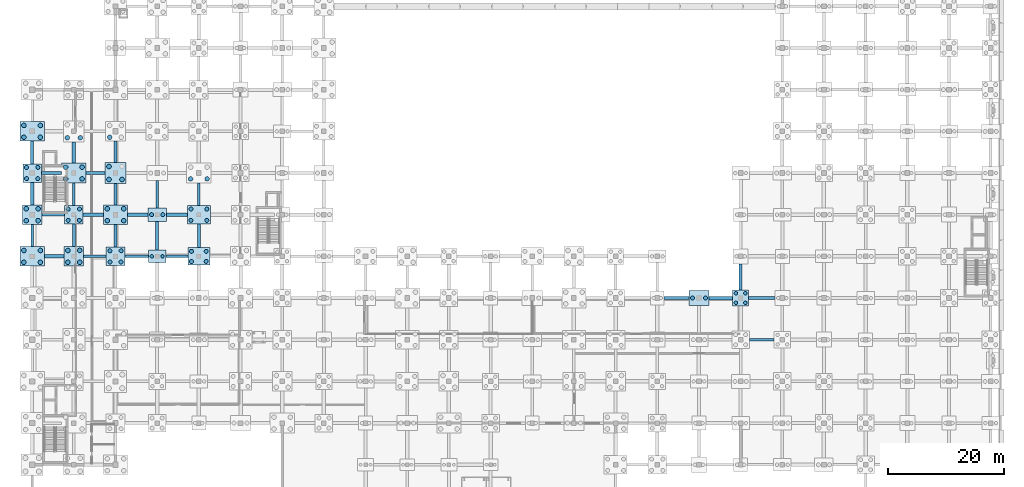
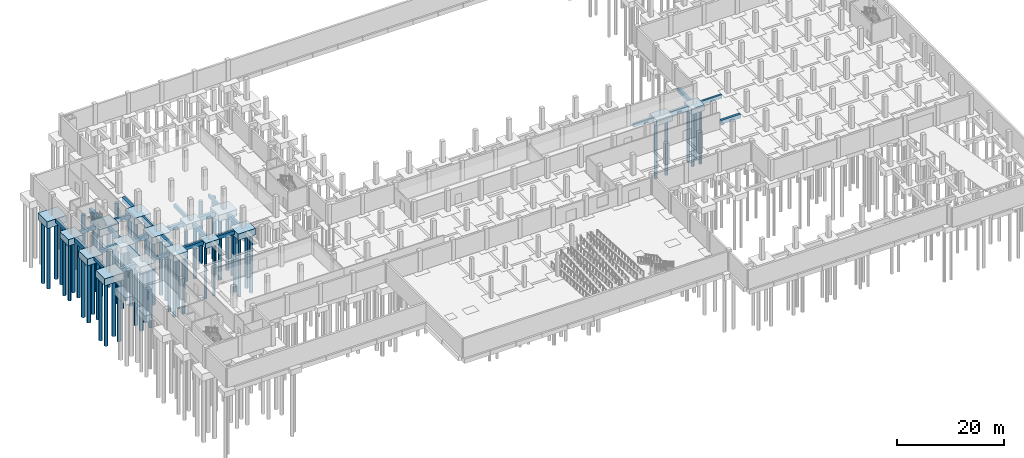
# One storey, part 7 of 38: 62 piles, 44 footings.
"""IFC4 building model written with IfcOpenShell, lengths in metres."""

from ifc_helpers import new_model, si_unit, direction, frame, origin, origin_2d, place, context, subcontext, project, spatial, rectangle, circle, extrude, material, material_profile, profile_set, type_object, element, save


model = new_model("IFC4")

# Units and contexts
model_context = context("Model", 3, precision=1e-05, world=origin(), true_north=direction((0.0, 1.0)))
body_context = subcontext(model_context, "Body", "Model", "MODEL_VIEW")
ifc_project = project(units=[si_unit("LENGTHUNIT", "METRE"), si_unit("AREAUNIT", "SQUARE_METRE"), si_unit("VOLUMEUNIT", "CUBIC_METRE"), si_unit("PLANEANGLEUNIT", "RADIAN"), si_unit("MASSUNIT", "GRAM", prefix="KILO")], contexts=[model_context])

# Site, building, storey
site_placement = place(None, origin())
site = spatial("IfcSite", under=ifc_project, at=site_placement, CompositionType="ELEMENT")
building_placement = place(site_placement, origin())
building = spatial("IfcBuilding", under=site, at=building_placement, Name="Valkovuoma Quantum and Materials Research Institute", CompositionType="ELEMENT")
storey_placement = place(building_placement, frame((0.0, 0.0, -4.800048828125)))
storey = spatial("IfcBuildingStorey", under=building, at=storey_placement, Name="B1", CompositionType="ELEMENT", Elevation=-4.800048828125)

# Footings
ifc_material_1 = material(Name="Concrete C35/45", Category="concrete")
footing_type_1 = type_object("IfcFootingType", Name="Cap-PC-05", PredefinedType="PILE_CAP", material=ifc_material_1)
footing_1_placement = place(storey_placement, frame((122.39990234375, 57.60009765625, -1.35009765625), z_axis=(0.0, 0.0, 1.0), x_axis=(1.0, 0.0, 0.0)))
element("IfcFooting", 1, at=footing_1_placement, inside=storey, type_object=footing_type_1, Name="B1 pile cap 18J", PredefinedType="PILE_CAP", context=body_context, shape_type="SweptSolid", body=[
    extrude(rectangle(XDim=2.800048828125, YDim=2.800048828125, at=origin_2d()), origin(), (0.0, 0.0, 1.0), 1.35009765625),
])
ifc_material_2 = material(Name="Concrete C35/45", Category="concrete")
footing_type_2 = type_object("IfcFootingType", Name="Cap-PC-07", PredefinedType="PILE_CAP", material=ifc_material_2)
for number, where, z_axis, x_axis, name in (
    (2, (0.0, 79.199951171875, -1.44970703125), (0.0, 0.0, 1.0), (1.0, 0.0, 0.0), "B1 pile cap 01M"),
    (3, (7.199951171875, 72.0, -1.44970703125), (0.0, 0.0, 1.0), (1.0, 0.0, 0.0), "B1 pile cap 02L"),
    (4, (14.39990234375, 64.800048828125, -1.44970703125), (0.0, 0.0, 1.0), (1.0, 0.0, 0.0), "B1 pile cap 03K"),
):
    element("IfcFooting", number, at=place(storey_placement, frame(where, z_axis=z_axis, x_axis=x_axis)), inside=storey, type_object=footing_type_2, Name=name, PredefinedType="PILE_CAP", context=body_context, shape_type="SweptSolid", body=[
        extrude(rectangle(XDim=3.199951171875, YDim=3.199951171875, at=origin_2d()), origin(), (0.0, 0.0, 1.0), 1.449951171875),
    ])
ifc_material_3 = material(Name="Concrete C35/45", Category="concrete")
footing_type_3 = type_object("IfcFootingType", Name="Cap-PC-08", PredefinedType="PILE_CAP", material=ifc_material_3)
for number, where, z_axis, x_axis, name in (
    (5, (0.0, 72.0, -1.5), (0.0, 0.0, 1.0), (1.0, 0.0, 0.0), "B1 pile cap 01L"),
    (6, (7.199951171875, 64.800048828125, -1.5), (0.0, 0.0, 1.0), (1.0, 0.0, 0.0), "B1 pile cap 02K"),
):
    element("IfcFooting", number, at=place(storey_placement, frame(where, z_axis=z_axis, x_axis=x_axis)), inside=storey, type_object=footing_type_3, Name=name, PredefinedType="PILE_CAP", context=body_context, shape_type="SweptSolid", body=[
        extrude(rectangle(XDim=3.39990234375, YDim=3.39990234375, at=origin_2d()), origin(), (0.0, 0.0, 1.0), 1.5),
    ])
ifc_material_4 = material(Name="Concrete C35/45", Category="concrete")
footing_type_4 = type_object("IfcFootingType", Name="Cap-PC-09", PredefinedType="PILE_CAP", material=ifc_material_4)
footing_2_placement = place(storey_placement, frame((14.39990234375, 79.199951171875, -1.5498046875), z_axis=(0.0, 0.0, 1.0), x_axis=(1.0, 0.0, 0.0)))
element("IfcFooting", 7, at=footing_2_placement, inside=storey, type_object=footing_type_4, Name="B1 pile cap 03M", PredefinedType="PILE_CAP", context=body_context, shape_type="SweptSolid", body=[
    extrude(rectangle(XDim=3.60009765625, YDim=3.60009765625, at=origin_2d()), origin(), (0.0, 0.0, 1.0), 1.550048828125),
])
ifc_material_5 = material(Name="Concrete C35/45", Category="concrete")
footing_type_5 = type_object("IfcFootingType", Name="Cap-PC-11", PredefinedType="PILE_CAP", material=ifc_material_5)
footing_3_placement = place(storey_placement, frame((21.60009765625, 64.800048828125, -1.25), z_axis=(0.0, 0.0, 1.0), x_axis=(1.0, 0.0, 0.0)))
element("IfcFooting", 8, at=footing_3_placement, inside=storey, type_object=footing_type_5, Name="B1 pile cap 04K", PredefinedType="PILE_CAP", context=body_context, shape_type="SweptSolid", body=[
    extrude(rectangle(XDim=3.0, YDim=2.199951171875, at=origin_2d()), origin(), (0.0, 0.0, 1.0), 1.25),
])
ifc_material_6 = material(Name="Concrete C35/45", Category="concrete")
footing_type_6 = type_object("IfcFootingType", Name="Cap-PC-12", PredefinedType="PILE_CAP", material=ifc_material_6)
footing_4_placement = place(storey_placement, frame((21.60009765625, 72.0, -1.2998046875), z_axis=(0.0, 0.0, 1.0), x_axis=(1.0, 0.0, 0.0)))
element("IfcFooting", 9, at=footing_4_placement, inside=storey, type_object=footing_type_6, Name="B1 pile cap 04L", PredefinedType="PILE_CAP", context=body_context, shape_type="SweptSolid", body=[
    extrude(rectangle(XDim=3.199951171875, YDim=2.39990234375, at=origin_2d()), origin(), (0.0, 0.0, 1.0), 1.300048828125),
])
ifc_material_7 = material(Name="Concrete C35/45", Category="concrete")
footing_type_7 = type_object("IfcFootingType", Name="Cap-PC-13", PredefinedType="PILE_CAP", material=ifc_material_7)
footing_5_placement = place(storey_placement, frame((115.199951171875, 57.60009765625, -1.35009765625), z_axis=(0.0, 0.0, 1.0), x_axis=(1.0, 0.0, 0.0)))
element("IfcFooting", 10, at=footing_5_placement, inside=storey, type_object=footing_type_7, Name="B1 pile cap 17J", PredefinedType="PILE_CAP", context=body_context, shape_type="SweptSolid", body=[
    extrude(rectangle(XDim=3.5, YDim=2.60009765625, at=origin_2d()), origin(), (0.0, 0.0, 1.0), 1.35009765625),
])
ifc_material_8 = material(Name="Concrete C35/45", Category="concrete")
footing_type_8 = type_object("IfcFootingType", Name="Cap-PC-14", PredefinedType="PILE_CAP", material=ifc_material_8)
footing_6_placement = place(storey_placement, frame((28.800048828125, 64.800048828125, -1.44970703125), z_axis=(0.0, 0.0, 1.0), x_axis=(1.0, 0.0, 0.0)))
element("IfcFooting", 11, at=footing_6_placement, inside=storey, type_object=footing_type_8, Name="B1 pile cap 05K", PredefinedType="PILE_CAP", context=body_context, shape_type="SweptSolid", body=[
    extrude(rectangle(XDim=3.800048828125, YDim=3.0, at=origin_2d()), origin(), (0.0, 0.0, 1.0), 1.449951171875),
])
ifc_material_9 = material(Name="Concrete C35/45", Category="concrete")
footing_type_9 = type_object("IfcFootingType", Name="Cap-PC-15", PredefinedType="PILE_CAP", material=ifc_material_9)
footing_7_placement = place(storey_placement, frame((28.800048828125, 72.0, -1.5), z_axis=(0.0, 0.0, 1.0), x_axis=(1.0, 0.0, 0.0)))
element("IfcFooting", 12, at=footing_7_placement, inside=storey, type_object=footing_type_9, Name="B1 pile cap 05L", PredefinedType="PILE_CAP", context=body_context, shape_type="SweptSolid", body=[
    extrude(rectangle(XDim=4.0, YDim=3.199951171875, at=origin_2d()), origin(), (0.0, 0.0, 1.0), 1.5),
])
ifc_material_10 = material(Name="Concrete C35/45", Category="concrete")
footing_type_10 = type_object("IfcFootingType", Name="Cap-PC-16", PredefinedType="PILE_CAP", material=ifc_material_10)
for number, where, z_axis, x_axis, name in (
    (13, (0.0, 64.800048828125, -1.60009765625), (0.0, 0.0, 1.0), (1.0, 0.0, 0.0), "B1 pile cap 01K"),
    (14, (0.0, 86.39990234375, -1.60009765625), (0.0, 0.0, 1.0), (1.0, 0.0, 0.0), "B1 pile cap 01N"),
    (15, (7.199951171875, 79.199951171875, -1.60009765625), (0.0, 0.0, 1.0), (1.0, 0.0, 0.0), "B1 pile cap 02M"),
    (16, (14.39990234375, 72.0, -1.60009765625), (0.0, 0.0, 1.0), (1.0, 0.0, 0.0), "B1 pile cap 03L"),
):
    element("IfcFooting", number, at=place(storey_placement, frame(where, z_axis=z_axis, x_axis=x_axis)), inside=storey, type_object=footing_type_10, Name=name, PredefinedType="PILE_CAP", context=body_context, shape_type="SweptSolid", body=[
        extrude(rectangle(XDim=4.199951171875, YDim=3.39990234375, at=origin_2d()), origin(), (0.0, 0.0, 1.0), 1.60009765625),
    ])
ifc_material_11 = material(Name="Concrete C35/45", Category="concrete")
footing_type_11 = type_object("IfcFootingType", Name="GndBeam-FB-01", PredefinedType="FOOTING_BEAM", material=ifc_material_11)
footing_8_placement = place(storey_placement, frame((0.0, 68.39990234375, -0.7998046875), z_axis=(0.0, 0.0, 1.0), x_axis=(0.0, 1.0, 0.0)))
element("IfcFooting", 17, at=footing_8_placement, inside=storey, type_object=footing_type_11, Name="B1 ground tie beam Y-012", PredefinedType="FOOTING_BEAM", context=body_context, shape_type="SweptSolid", body=[
    extrude(rectangle(XDim=3.800048828125, YDim=0.449951171875, at=origin_2d()), origin(), (0.0, 0.0, 1.0), 0.800048828125),
])
footing_9_placement = place(storey_placement, frame((3.35009765625, 79.199951171875, -0.7998046875), z_axis=(0.0, 0.0, 1.0), x_axis=(1.0, 0.0, 0.0)))
element("IfcFooting", 18, at=footing_9_placement, inside=storey, type_object=footing_type_11, Name="B1 ground tie beam X-015", PredefinedType="FOOTING_BEAM", context=body_context, shape_type="SweptSolid", body=[
    extrude(rectangle(XDim=3.5, YDim=0.449951171875, at=origin_2d()), origin(), (0.0, 0.0, 1.0), 0.800048828125),
])
for number, where, z_axis, x_axis, name in (
    (19, (10.85009765625, 64.800048828125, -0.7998046875), (0.0, 0.0, 1.0), (1.0, 0.0, 0.0), "B1 ground tie beam X-030"),
    (20, (7.199951171875, 75.550048828125, -0.7998046875), (0.0, 0.0, 1.0), (0.0, 1.0, 0.0), "B1 ground tie beam Y-033"),
):
    element("IfcFooting", number, at=place(storey_placement, frame(where, z_axis=z_axis, x_axis=x_axis)), inside=storey, type_object=footing_type_11, Name=name, PredefinedType="FOOTING_BEAM", context=body_context, shape_type="SweptSolid", body=[
        extrude(rectangle(XDim=3.89990234375, YDim=0.449951171875, at=origin_2d()), origin(), (0.0, 0.0, 1.0), 0.800048828125),
    ])
footing_10_placement = place(storey_placement, frame((18.050048828125, 64.800048828125, -0.7998046875), z_axis=(0.0, 0.0, 1.0), x_axis=(1.0, 0.0, 0.0)))
element("IfcFooting", 21, at=footing_10_placement, inside=storey, type_object=footing_type_11, Name="B1 ground tie beam X-048", PredefinedType="FOOTING_BEAM", context=body_context, shape_type="SweptSolid", body=[
    extrude(rectangle(XDim=4.10009765625, YDim=0.449951171875, at=origin_2d()), origin(), (0.0, 0.0, 1.0), 0.800048828125),
])
footing_11_placement = place(storey_placement, frame((14.39990234375, 75.550048828125, -0.7998046875), z_axis=(0.0, 0.0, 1.0), x_axis=(0.0, 1.0, 0.0)))
element("IfcFooting", 22, at=footing_11_placement, inside=storey, type_object=footing_type_11, Name="B1 ground tie beam Y-051", PredefinedType="FOOTING_BEAM", context=body_context, shape_type="SweptSolid", body=[
    extrude(rectangle(XDim=3.699951171875, YDim=0.449951171875, at=origin_2d()), origin(), (0.0, 0.0, 1.0), 0.800048828125),
])
footing_12_placement = place(storey_placement, frame((25.0, 64.800048828125, -0.7998046875), z_axis=(0.0, 0.0, 1.0), x_axis=(1.0, 0.0, 0.0)))
element("IfcFooting", 23, at=footing_12_placement, inside=storey, type_object=footing_type_11, Name="B1 ground tie beam X-069", PredefinedType="FOOTING_BEAM", context=body_context, shape_type="SweptSolid", body=[
    extrude(rectangle(XDim=3.800048828125, YDim=0.449951171875, at=origin_2d()), origin(), (0.0, 0.0, 1.0), 0.800048828125),
])
footing_13_placement = place(storey_placement, frame((21.60009765625, 75.550048828125, -0.7998046875), z_axis=(0.0, 0.0, 1.0), x_axis=(0.0, 1.0, 0.0)))
element("IfcFooting", 24, at=footing_13_placement, inside=storey, type_object=footing_type_11, Name="B1 ground tie beam Y-072", PredefinedType="FOOTING_BEAM", context=body_context, shape_type="SweptSolid", body=[
    extrude(rectangle(XDim=4.699951171875, YDim=0.449951171875, at=origin_2d()), origin(), (0.0, 0.0, 1.0), 0.800048828125),
])
footing_14_placement = place(storey_placement, frame((28.800048828125, 75.550048828125, -0.7998046875), z_axis=(0.0, 0.0, 1.0), x_axis=(0.0, 1.0, 0.0)))
element("IfcFooting", 25, at=footing_14_placement, inside=storey, type_object=footing_type_11, Name="B1 ground tie beam Y-093", PredefinedType="FOOTING_BEAM", context=body_context, shape_type="SweptSolid", body=[
    extrude(rectangle(XDim=3.89990234375, YDim=0.449951171875, at=origin_2d()), origin(), (0.0, 0.0, 1.0), 0.800048828125),
])
footing_15_placement = place(storey_placement, frame((111.324951171875, 57.60009765625, -0.7998046875), z_axis=(0.0, 0.0, 1.0), x_axis=(1.0, 0.0, 0.0)))
element("IfcFooting", 26, at=footing_15_placement, inside=storey, type_object=footing_type_11, Name="B1 ground tie beam X-252", PredefinedType="FOOTING_BEAM", context=body_context, shape_type="SweptSolid", body=[
    extrude(rectangle(XDim=4.25, YDim=0.449951171875, at=origin_2d()), origin(), (0.0, 0.0, 1.0), 0.800048828125),
])
footing_16_placement = place(storey_placement, frame((126.050048828125, 57.60009765625, -0.7998046875), z_axis=(0.0, 0.0, 1.0), x_axis=(1.0, 0.0, 0.0)))
element("IfcFooting", 27, at=footing_16_placement, inside=storey, type_object=footing_type_11, Name="B1 ground tie beam X-273", PredefinedType="FOOTING_BEAM", context=body_context, shape_type="SweptSolid", body=[
    extrude(rectangle(XDim=4.5, YDim=0.449951171875, at=origin_2d()), origin(), (0.0, 0.0, 1.0), 0.800048828125),
])
ifc_material_12 = material(Name="Concrete C35/45", Category="concrete")
footing_type_12 = type_object("IfcFootingType", Name="GndBeam-FB-02", PredefinedType="FOOTING_BEAM", material=ifc_material_12)
for number, where, z_axis, x_axis, name in (
    (28, (3.64990234375, 72.0, -0.89990234375), (0.0, 0.0, 1.0), (1.0, 0.0, 0.0), "B1 ground tie beam X-013"),
    (29, (0.0, 82.75, -0.89990234375), (0.0, 0.0, 1.0), (0.0, 1.0, 0.0), "B1 ground tie beam Y-016"),
    (30, (7.199951171875, 68.449951171875, -0.89990234375), (0.0, 0.0, 1.0), (0.0, 1.0, 0.0), "B1 ground tie beam Y-031"),
):
    element("IfcFooting", number, at=place(storey_placement, frame(where, z_axis=z_axis, x_axis=x_axis)), inside=storey, type_object=footing_type_12, Name=name, PredefinedType="FOOTING_BEAM", context=body_context, shape_type="SweptSolid", body=[
        extrude(rectangle(XDim=3.89990234375, YDim=0.5, at=origin_2d()), origin(), (0.0, 0.0, 1.0), 0.89990234375),
    ])
footing_17_placement = place(storey_placement, frame((10.949951171875, 79.199951171875, -0.89990234375), z_axis=(0.0, 0.0, 1.0), x_axis=(1.0, 0.0, 0.0)))
element("IfcFooting", 31, at=footing_17_placement, inside=storey, type_object=footing_type_12, Name="B1 ground tie beam X-034", PredefinedType="FOOTING_BEAM", context=body_context, shape_type="SweptSolid", body=[
    extrude(rectangle(XDim=3.300048828125, YDim=0.5, at=origin_2d()), origin(), (0.0, 0.0, 1.0), 0.89990234375),
])
footing_18_placement = place(storey_placement, frame((14.39990234375, 68.35009765625, -0.89990234375), z_axis=(0.0, 0.0, 1.0), x_axis=(0.0, 1.0, 0.0)))
element("IfcFooting", 32, at=footing_18_placement, inside=storey, type_object=footing_type_12, Name="B1 ground tie beam Y-049", PredefinedType="FOOTING_BEAM", context=body_context, shape_type="SweptSolid", body=[
    extrude(rectangle(XDim=3.89990234375, YDim=0.5, at=origin_2d()), origin(), (0.0, 0.0, 1.0), 0.89990234375),
])
footing_19_placement = place(storey_placement, frame((21.60009765625, 68.35009765625, -0.89990234375), z_axis=(0.0, 0.0, 1.0), x_axis=(0.0, 1.0, 0.0)))
element("IfcFooting", 33, at=footing_19_placement, inside=storey, type_object=footing_type_12, Name="B1 ground tie beam Y-070", PredefinedType="FOOTING_BEAM", context=body_context, shape_type="SweptSolid", body=[
    extrude(rectangle(XDim=4.89990234375, YDim=0.5, at=origin_2d()), origin(), (0.0, 0.0, 1.0), 0.89990234375),
])
footing_20_placement = place(storey_placement, frame((28.800048828125, 68.35009765625, -0.89990234375), z_axis=(0.0, 0.0, 1.0), x_axis=(0.0, 1.0, 0.0)))
element("IfcFooting", 34, at=footing_20_placement, inside=storey, type_object=footing_type_12, Name="B1 ground tie beam Y-091", PredefinedType="FOOTING_BEAM", context=body_context, shape_type="SweptSolid", body=[
    extrude(rectangle(XDim=4.10009765625, YDim=0.5, at=origin_2d()), origin(), (0.0, 0.0, 1.0), 0.89990234375),
])
footing_21_placement = place(storey_placement, frame((126.050048828125, 50.39990234375, -0.89990234375), z_axis=(0.0, 0.0, 1.0), x_axis=(1.0, 0.0, 0.0)))
element("IfcFooting", 35, at=footing_21_placement, inside=storey, type_object=footing_type_12, Name="B1 ground tie beam X-271", PredefinedType="FOOTING_BEAM", context=body_context, shape_type="SweptSolid", body=[
    extrude(rectangle(XDim=4.300048828125, YDim=0.5, at=origin_2d()), origin(), (0.0, 0.0, 1.0), 0.89990234375),
])
footing_22_placement = place(storey_placement, frame((122.39990234375, 61.25, -0.89990234375), z_axis=(0.0, 0.0, 1.0), x_axis=(0.0, 1.0, 0.0)))
element("IfcFooting", 36, at=footing_22_placement, inside=storey, type_object=footing_type_12, Name="B1 ground tie beam Y-274", PredefinedType="FOOTING_BEAM", context=body_context, shape_type="SweptSolid", body=[
    extrude(rectangle(XDim=4.5, YDim=0.5, at=origin_2d()), origin(), (0.0, 0.0, 1.0), 0.89990234375),
])
ifc_material_13 = material(Name="Concrete C35/45", Category="concrete")
footing_type_13 = type_object("IfcFootingType", Name="GndBeam-FB-03", PredefinedType="FOOTING_BEAM", material=ifc_material_13)
footing_23_placement = place(storey_placement, frame((3.800048828125, 64.800048828125, -1.0), z_axis=(0.0, 0.0, 1.0), x_axis=(1.0, 0.0, 0.0)))
element("IfcFooting", 37, at=footing_23_placement, inside=storey, type_object=footing_type_13, Name="B1 ground tie beam X-011", PredefinedType="FOOTING_BEAM", context=body_context, shape_type="SweptSolid", body=[
    extrude(rectangle(XDim=3.39990234375, YDim=0.60009765625, at=origin_2d()), origin(), (0.0, 0.0, 1.0), 1.0),
])
footing_24_placement = place(storey_placement, frame((0.0, 75.64990234375, -1.0), z_axis=(0.0, 0.0, 1.0), x_axis=(0.0, 1.0, 0.0)))
element("IfcFooting", 38, at=footing_24_placement, inside=storey, type_object=footing_type_13, Name="B1 ground tie beam Y-014", PredefinedType="FOOTING_BEAM", context=body_context, shape_type="SweptSolid", body=[
    extrude(rectangle(XDim=3.89990234375, YDim=0.60009765625, at=origin_2d()), origin(), (0.0, 0.0, 1.0), 1.0),
])
footing_25_placement = place(storey_placement, frame((10.550048828125, 72.0, -1.0), z_axis=(0.0, 0.0, 1.0), x_axis=(1.0, 0.0, 0.0)))
element("IfcFooting", 39, at=footing_25_placement, inside=storey, type_object=footing_type_13, Name="B1 ground tie beam X-032", PredefinedType="FOOTING_BEAM", context=body_context, shape_type="SweptSolid", body=[
    extrude(rectangle(XDim=3.5, YDim=0.60009765625, at=origin_2d()), origin(), (0.0, 0.0, 1.0), 1.0),
])
footing_26_placement = place(storey_placement, frame((7.199951171875, 82.75, -1.0), z_axis=(0.0, 0.0, 1.0), x_axis=(0.0, 1.0, 0.0)))
element("IfcFooting", 40, at=footing_26_placement, inside=storey, type_object=footing_type_13, Name="B1 ground tie beam Y-035", PredefinedType="FOOTING_BEAM", context=body_context, shape_type="SweptSolid", body=[
    extrude(rectangle(XDim=3.699951171875, YDim=0.60009765625, at=origin_2d()), origin(), (0.0, 0.0, 1.0), 1.0),
])
footing_27_placement = place(storey_placement, frame((18.25, 72.0, -1.0), z_axis=(0.0, 0.0, 1.0), x_axis=(1.0, 0.0, 0.0)))
element("IfcFooting", 41, at=footing_27_placement, inside=storey, type_object=footing_type_13, Name="B1 ground tie beam X-050", PredefinedType="FOOTING_BEAM", context=body_context, shape_type="SweptSolid", body=[
    extrude(rectangle(XDim=3.5, YDim=0.60009765625, at=origin_2d()), origin(), (0.0, 0.0, 1.0), 1.0),
])
footing_28_placement = place(storey_placement, frame((14.39990234375, 82.85009765625, -1.0), z_axis=(0.0, 0.0, 1.0), x_axis=(0.0, 1.0, 0.0)))
element("IfcFooting", 42, at=footing_28_placement, inside=storey, type_object=footing_type_13, Name="B1 ground tie beam Y-053", PredefinedType="FOOTING_BEAM", context=body_context, shape_type="SweptSolid", body=[
    extrude(rectangle(XDim=3.699951171875, YDim=0.60009765625, at=origin_2d()), origin(), (0.0, 0.0, 1.0), 1.0),
])
footing_29_placement = place(storey_placement, frame((25.0, 72.0, -1.0), z_axis=(0.0, 0.0, 1.0), x_axis=(1.0, 0.0, 0.0)))
element("IfcFooting", 43, at=footing_29_placement, inside=storey, type_object=footing_type_13, Name="B1 ground tie beam X-071", PredefinedType="FOOTING_BEAM", context=body_context, shape_type="SweptSolid", body=[
    extrude(rectangle(XDim=3.60009765625, YDim=0.60009765625, at=origin_2d()), origin(), (0.0, 0.0, 1.0), 1.0),
])
footing_30_placement = place(storey_placement, frame((118.97509765625, 57.60009765625, -1.0), z_axis=(0.0, 0.0, 1.0), x_axis=(1.0, 0.0, 0.0)))
element("IfcFooting", 44, at=footing_30_placement, inside=storey, type_object=footing_type_13, Name="B1 ground tie beam X-263", PredefinedType="FOOTING_BEAM", context=body_context, shape_type="SweptSolid", body=[
    extrude(rectangle(XDim=4.050048828125, YDim=0.60009765625, at=origin_2d()), origin(), (0.0, 0.0, 1.0), 1.0),
])

# Piles
ifc_material_14 = material(Name="Concrete C40/50", Category="concrete")
ifc_material_profile_1 = material_profile(ifc_material_14, circle(Radius=0.300048828125, at=origin_2d()), Name="Concrete C40/50")
ifc_profile_set_1 = profile_set([ifc_material_profile_1], Name="Concrete C40/50")
pile_type_1 = type_object("IfcPileType", Name="Pile-PL-B600", PredefinedType="BORED", material=ifc_profile_set_1)
for number, where, z_axis, x_axis, name in (
    (45, (20.679931640625, 64.800048828125, -1.14990234375), (0.0, 0.0, -1.0), (1.0, 0.0, 0.0), "B1 pile 04K-1"),
    (46, (22.52001953125, 64.800048828125, -1.14990234375), (0.0, 0.0, -1.0), (1.0, 0.0, 0.0), "B1 pile 04K-2"),
):
    element("IfcPile", number, at=place(storey_placement, frame(where, z_axis=z_axis, x_axis=x_axis)), inside=storey, type_object=pile_type_1, Name=name, PredefinedType="BORED", context=body_context, shape_type="SweptSolid", body=[
        extrude(circle(Radius=0.300048828125, at=origin_2d()), origin(), (0.0, 0.0, 1.0), 12.25),
    ])
for number, where, z_axis, x_axis, name in (
    (47, (121.580078125, 56.780029296875, -1.25), (0.0, 0.0, -1.0), (1.0, 0.0, 0.0), "B1 pile 18J-1"),
    (48, (123.219970703125, 56.780029296875, -1.25), (0.0, 0.0, -1.0), (1.0, 0.0, 0.0), "B1 pile 18J-2"),
    (49, (121.580078125, 58.419921875, -1.25), (0.0, 0.0, -1.0), (1.0, 0.0, 0.0), "B1 pile 18J-3"),
    (50, (123.219970703125, 58.419921875, -1.25), (0.0, 0.0, -1.0), (1.0, 0.0, 0.0), "B1 pile 18J-4"),
):
    element("IfcPile", number, at=place(storey_placement, frame(where, z_axis=z_axis, x_axis=x_axis)), inside=storey, type_object=pile_type_1, Name=name, PredefinedType="BORED", context=body_context, shape_type="SweptSolid", body=[
        extrude(circle(Radius=0.300048828125, at=origin_2d()), origin(), (0.0, 0.0, 1.0), 12.35009765625),
    ])
ifc_material_15 = material(Name="Concrete C40/50", Category="concrete")
ifc_material_profile_2 = material_profile(ifc_material_15, circle(Radius=0.35009765625, at=origin_2d()), Name="Concrete C40/50")
ifc_profile_set_2 = profile_set([ifc_material_profile_2], Name="Concrete C40/50")
pile_type_2 = type_object("IfcPileType", Name="Pile-PL-B700", PredefinedType="BORED", material=ifc_profile_set_2)
for number, where, z_axis, x_axis, name in (
    (51, (-0.969970703125, 78.22998046875, -1.349853515625), (0.0, 0.0, -1.0), (1.0, 0.0, 0.0), "B1 pile 01M-1"),
    (52, (0.969970703125, 78.22998046875, -1.349853515625), (0.0, 0.0, -1.0), (1.0, 0.0, 0.0), "B1 pile 01M-2"),
    (53, (-0.969970703125, 80.169921875, -1.349853515625), (0.0, 0.0, -1.0), (1.0, 0.0, 0.0), "B1 pile 01M-3"),
    (54, (0.969970703125, 80.169921875, -1.349853515625), (0.0, 0.0, -1.0), (1.0, 0.0, 0.0), "B1 pile 01M-4"),
    (55, (6.22998046875, 71.030029296875, -1.349853515625), (0.0, 0.0, -1.0), (1.0, 0.0, 0.0), "B1 pile 02L-1"),
    (56, (8.169921875, 71.030029296875, -1.349853515625), (0.0, 0.0, -1.0), (1.0, 0.0, 0.0), "B1 pile 02L-2"),
    (57, (6.22998046875, 72.969970703125, -1.349853515625), (0.0, 0.0, -1.0), (1.0, 0.0, 0.0), "B1 pile 02L-3"),
    (58, (8.169921875, 72.969970703125, -1.349853515625), (0.0, 0.0, -1.0), (1.0, 0.0, 0.0), "B1 pile 02L-4"),
    (59, (13.429931640625, 63.830078125, -1.349853515625), (0.0, 0.0, -1.0), (1.0, 0.0, 0.0), "B1 pile 03K-1"),
    (60, (15.3701171875, 63.830078125, -1.349853515625), (0.0, 0.0, -1.0), (1.0, 0.0, 0.0), "B1 pile 03K-2"),
    (61, (13.429931640625, 65.77001953125, -1.349853515625), (0.0, 0.0, -1.0), (1.0, 0.0, 0.0), "B1 pile 03K-3"),
    (62, (15.3701171875, 65.77001953125, -1.349853515625), (0.0, 0.0, -1.0), (1.0, 0.0, 0.0), "B1 pile 03K-4"),
):
    element("IfcPile", number, at=place(storey_placement, frame(where, z_axis=z_axis, x_axis=x_axis)), inside=storey, type_object=pile_type_2, Name=name, PredefinedType="BORED", context=body_context, shape_type="SweptSolid", body=[
        extrude(circle(Radius=0.35009765625, at=origin_2d()), origin(), (0.0, 0.0, 1.0), 13.050048828125),
    ])
for number, where, z_axis, x_axis, name in (
    (63, (20.6298828125, 72.0, -1.199951171875), (0.0, 0.0, -1.0), (1.0, 0.0, 0.0), "B1 pile 04L-1"),
    (64, (22.570068359375, 72.0, -1.199951171875), (0.0, 0.0, -1.0), (1.0, 0.0, 0.0), "B1 pile 04L-2"),
):
    element("IfcPile", number, at=place(storey_placement, frame(where, z_axis=z_axis, x_axis=x_axis)), inside=storey, type_object=pile_type_2, Name=name, PredefinedType="BORED", context=body_context, shape_type="SweptSolid", body=[
        extrude(circle(Radius=0.35009765625, at=origin_2d()), origin(), (0.0, 0.0, 1.0), 12.60009765625),
    ])
for number, where, z_axis, x_axis, name in (
    (65, (27.530029296875, 63.929931640625, -1.349853515625), (0.0, 0.0, -1.0), (1.0, 0.0, 0.0), "B1 pile 05K-1"),
    (66, (30.070068359375, 63.929931640625, -1.349853515625), (0.0, 0.0, -1.0), (1.0, 0.0, 0.0), "B1 pile 05K-2"),
    (67, (27.530029296875, 65.669921875, -1.349853515625), (0.0, 0.0, -1.0), (1.0, 0.0, 0.0), "B1 pile 05K-3"),
    (68, (30.070068359375, 65.669921875, -1.349853515625), (0.0, 0.0, -1.0), (1.0, 0.0, 0.0), "B1 pile 05K-4"),
):
    element("IfcPile", number, at=place(storey_placement, frame(where, z_axis=z_axis, x_axis=x_axis)), inside=storey, type_object=pile_type_2, Name=name, PredefinedType="BORED", context=body_context, shape_type="SweptSolid", body=[
        extrude(circle(Radius=0.35009765625, at=origin_2d()), origin(), (0.0, 0.0, 1.0), 13.449951171875),
    ])
for number, where, z_axis, x_axis, name in (
    (69, (27.429931640625, 71.030029296875, -1.39990234375), (0.0, 0.0, -1.0), (1.0, 0.0, 0.0), "B1 pile 05L-1"),
    (70, (30.169921875, 71.030029296875, -1.39990234375), (0.0, 0.0, -1.0), (1.0, 0.0, 0.0), "B1 pile 05L-2"),
    (71, (27.429931640625, 72.969970703125, -1.39990234375), (0.0, 0.0, -1.0), (1.0, 0.0, 0.0), "B1 pile 05L-3"),
    (72, (30.169921875, 72.969970703125, -1.39990234375), (0.0, 0.0, -1.0), (1.0, 0.0, 0.0), "B1 pile 05L-4"),
):
    element("IfcPile", number, at=place(storey_placement, frame(where, z_axis=z_axis, x_axis=x_axis)), inside=storey, type_object=pile_type_2, Name=name, PredefinedType="BORED", context=body_context, shape_type="SweptSolid", body=[
        extrude(circle(Radius=0.35009765625, at=origin_2d()), origin(), (0.0, 0.0, 1.0), 13.800048828125),
    ])
for number, where, z_axis, x_axis, name in (
    (73, (114.080078125, 57.60009765625, -1.25), (0.0, 0.0, -1.0), (1.0, 0.0, 0.0), "B1 pile 17J-1"),
    (74, (116.320068359375, 57.60009765625, -1.25), (0.0, 0.0, -1.0), (1.0, 0.0, 0.0), "B1 pile 17J-2"),
):
    element("IfcPile", number, at=place(storey_placement, frame(where, z_axis=z_axis, x_axis=x_axis)), inside=storey, type_object=pile_type_2, Name=name, PredefinedType="BORED", context=body_context, shape_type="SweptSolid", body=[
        extrude(circle(Radius=0.35009765625, at=origin_2d()), origin(), (0.0, 0.0, 1.0), 12.949951171875),
    ])
ifc_material_16 = material(Name="Concrete C40/50", Category="concrete")
ifc_material_profile_3 = material_profile(ifc_material_16, circle(Radius=0.39990234375, at=origin_2d()), Name="Concrete C40/50")
ifc_profile_set_3 = profile_set([ifc_material_profile_3], Name="Concrete C40/50")
pile_type_3 = type_object("IfcPileType", Name="Pile-PL-B800", PredefinedType="BORED", material=ifc_profile_set_3)
for number, where, z_axis, x_axis, name in (
    (75, (-1.419921875, 63.780029296875, -1.5), (0.0, 0.0, -1.0), (1.0, 0.0, 0.0), "B1 pile 01K-1"),
    (76, (1.419921875, 63.780029296875, -1.5), (0.0, 0.0, -1.0), (1.0, 0.0, 0.0), "B1 pile 01K-2"),
    (77, (-1.419921875, 65.820068359375, -1.5), (0.0, 0.0, -1.0), (1.0, 0.0, 0.0), "B1 pile 01K-3"),
    (78, (1.419921875, 65.820068359375, -1.5), (0.0, 0.0, -1.0), (1.0, 0.0, 0.0), "B1 pile 01K-4"),
):
    element("IfcPile", number, at=place(storey_placement, frame(where, z_axis=z_axis, x_axis=x_axis)), inside=storey, type_object=pile_type_3, Name=name, PredefinedType="BORED", context=body_context, shape_type="SweptSolid", body=[
        extrude(circle(Radius=0.39990234375, at=origin_2d()), origin(), (0.0, 0.0, 1.0), 14.300048828125),
    ])
for number, where, z_axis, x_axis, name in (
    (79, (-1.02001953125, 70.97998046875, -1.39990234375), (0.0, 0.0, -1.0), (1.0, 0.0, 0.0), "B1 pile 01L-1"),
    (80, (1.02001953125, 70.97998046875, -1.39990234375), (0.0, 0.0, -1.0), (1.0, 0.0, 0.0), "B1 pile 01L-2"),
    (81, (-1.02001953125, 73.02001953125, -1.39990234375), (0.0, 0.0, -1.0), (1.0, 0.0, 0.0), "B1 pile 01L-3"),
    (82, (1.02001953125, 73.02001953125, -1.39990234375), (0.0, 0.0, -1.0), (1.0, 0.0, 0.0), "B1 pile 01L-4"),
):
    element("IfcPile", number, at=place(storey_placement, frame(where, z_axis=z_axis, x_axis=x_axis)), inside=storey, type_object=pile_type_3, Name=name, PredefinedType="BORED", context=body_context, shape_type="SweptSolid", body=[
        extrude(circle(Radius=0.39990234375, at=origin_2d()), origin(), (0.0, 0.0, 1.0), 13.60009765625),
    ])
for number, where, z_axis, x_axis, name in (
    (83, (-1.419921875, 85.3798828125, -1.5), (0.0, 0.0, -1.0), (1.0, 0.0, 0.0), "B1 pile 01N-1"),
    (84, (1.419921875, 85.3798828125, -1.5), (0.0, 0.0, -1.0), (1.0, 0.0, 0.0), "B1 pile 01N-2"),
    (85, (-1.419921875, 87.419921875, -1.5), (0.0, 0.0, -1.0), (1.0, 0.0, 0.0), "B1 pile 01N-3"),
    (86, (1.419921875, 87.419921875, -1.5), (0.0, 0.0, -1.0), (1.0, 0.0, 0.0), "B1 pile 01N-4"),
):
    element("IfcPile", number, at=place(storey_placement, frame(where, z_axis=z_axis, x_axis=x_axis)), inside=storey, type_object=pile_type_3, Name=name, PredefinedType="BORED", context=body_context, shape_type="SweptSolid", body=[
        extrude(circle(Radius=0.39990234375, at=origin_2d()), origin(), (0.0, 0.0, 1.0), 14.300048828125),
    ])
for number, where, z_axis, x_axis, name in (
    (87, (6.179931640625, 63.780029296875, -1.39990234375), (0.0, 0.0, -1.0), (1.0, 0.0, 0.0), "B1 pile 02K-1"),
    (88, (8.219970703125, 63.780029296875, -1.39990234375), (0.0, 0.0, -1.0), (1.0, 0.0, 0.0), "B1 pile 02K-2"),
    (89, (6.179931640625, 65.820068359375, -1.39990234375), (0.0, 0.0, -1.0), (1.0, 0.0, 0.0), "B1 pile 02K-3"),
    (90, (8.219970703125, 65.820068359375, -1.39990234375), (0.0, 0.0, -1.0), (1.0, 0.0, 0.0), "B1 pile 02K-4"),
):
    element("IfcPile", number, at=place(storey_placement, frame(where, z_axis=z_axis, x_axis=x_axis)), inside=storey, type_object=pile_type_3, Name=name, PredefinedType="BORED", context=body_context, shape_type="SweptSolid", body=[
        extrude(circle(Radius=0.39990234375, at=origin_2d()), origin(), (0.0, 0.0, 1.0), 13.60009765625),
    ])
for number, where, z_axis, x_axis, name in (
    (91, (5.780029296875, 78.179931640625, -1.5), (0.0, 0.0, -1.0), (1.0, 0.0, 0.0), "B1 pile 02M-1"),
    (92, (8.6201171875, 78.179931640625, -1.5), (0.0, 0.0, -1.0), (1.0, 0.0, 0.0), "B1 pile 02M-2"),
    (93, (5.780029296875, 80.219970703125, -1.5), (0.0, 0.0, -1.0), (1.0, 0.0, 0.0), "B1 pile 02M-3"),
    (94, (8.6201171875, 80.219970703125, -1.5), (0.0, 0.0, -1.0), (1.0, 0.0, 0.0), "B1 pile 02M-4"),
):
    element("IfcPile", number, at=place(storey_placement, frame(where, z_axis=z_axis, x_axis=x_axis)), inside=storey, type_object=pile_type_3, Name=name, PredefinedType="BORED", context=body_context, shape_type="SweptSolid", body=[
        extrude(circle(Radius=0.39990234375, at=origin_2d()), origin(), (0.0, 0.0, 1.0), 14.300048828125),
    ])
for number, where, z_axis, x_axis, name in (
    (95, (6.080078125, 85.280029296875, -1.449951171875), (0.0, 0.0, -1.0), (1.0, 0.0, 0.0), "B1 pile 02N-1"),
    (96, (8.320068359375, 85.280029296875, -1.449951171875), (0.0, 0.0, -1.0), (1.0, 0.0, 0.0), "B1 pile 02N-2"),
):
    element("IfcPile", number, at=place(storey_placement, frame(where, z_axis=z_axis, x_axis=x_axis)), inside=storey, type_object=pile_type_3, Name=name, PredefinedType="BORED", context=body_context, shape_type="SweptSolid", body=[
        extrude(circle(Radius=0.39990234375, at=origin_2d()), origin(), (0.0, 0.0, 1.0), 13.949951171875),
    ])
for number, where, z_axis, x_axis, name in (
    (97, (12.97998046875, 70.97998046875, -1.5), (0.0, 0.0, -1.0), (1.0, 0.0, 0.0), "B1 pile 03L-1"),
    (98, (15.820068359375, 70.97998046875, -1.5), (0.0, 0.0, -1.0), (1.0, 0.0, 0.0), "B1 pile 03L-2"),
    (99, (12.97998046875, 73.02001953125, -1.5), (0.0, 0.0, -1.0), (1.0, 0.0, 0.0), "B1 pile 03L-3"),
    (100, (15.820068359375, 73.02001953125, -1.5), (0.0, 0.0, -1.0), (1.0, 0.0, 0.0), "B1 pile 03L-4"),
):
    element("IfcPile", number, at=place(storey_placement, frame(where, z_axis=z_axis, x_axis=x_axis)), inside=storey, type_object=pile_type_3, Name=name, PredefinedType="BORED", context=body_context, shape_type="SweptSolid", body=[
        extrude(circle(Radius=0.39990234375, at=origin_2d()), origin(), (0.0, 0.0, 1.0), 14.300048828125),
    ])
for number, where, z_axis, x_axis, name in (
    (101, (13.280029296875, 78.080078125, -1.449951171875), (0.0, 0.0, -1.0), (1.0, 0.0, 0.0), "B1 pile 03M-1"),
    (102, (15.52001953125, 78.080078125, -1.449951171875), (0.0, 0.0, -1.0), (1.0, 0.0, 0.0), "B1 pile 03M-2"),
    (103, (13.280029296875, 80.320068359375, -1.449951171875), (0.0, 0.0, -1.0), (1.0, 0.0, 0.0), "B1 pile 03M-3"),
):
    element("IfcPile", number, at=place(storey_placement, frame(where, z_axis=z_axis, x_axis=x_axis)), inside=storey, type_object=pile_type_3, Name=name, PredefinedType="BORED", context=body_context, shape_type="SweptSolid", body=[
        extrude(circle(Radius=0.39990234375, at=origin_2d()), origin(), (0.0, 0.0, 1.0), 13.949951171875),
    ])
pile_placement = place(storey_placement, frame((13.3798828125, 85.3798828125, -1.39990234375), z_axis=(0.0, 0.0, -1.0), x_axis=(1.0, 0.0, 0.0)))
element("IfcPile", 104, at=pile_placement, inside=storey, type_object=pile_type_3, Name="B1 pile 03N-1", PredefinedType="BORED", context=body_context, shape_type="SweptSolid", body=[
    extrude(circle(Radius=0.39990234375, at=origin_2d()), origin(), (0.0, 0.0, 1.0), 13.60009765625),
])
for number, where, z_axis, x_axis, name in (
    (105, (27.3798828125, 78.179931640625, -1.5), (0.0, 0.0, -1.0), (1.0, 0.0, 0.0), "B1 pile 05M-1"),
    (106, (30.219970703125, 78.179931640625, -1.5), (0.0, 0.0, -1.0), (1.0, 0.0, 0.0), "B1 pile 05M-2"),
):
    element("IfcPile", number, at=place(storey_placement, frame(where, z_axis=z_axis, x_axis=x_axis)), inside=storey, type_object=pile_type_3, Name=name, PredefinedType="BORED", context=body_context, shape_type="SweptSolid", body=[
        extrude(circle(Radius=0.39990234375, at=origin_2d()), origin(), (0.0, 0.0, 1.0), 14.300048828125),
    ])

save(model, "model.ifc")
